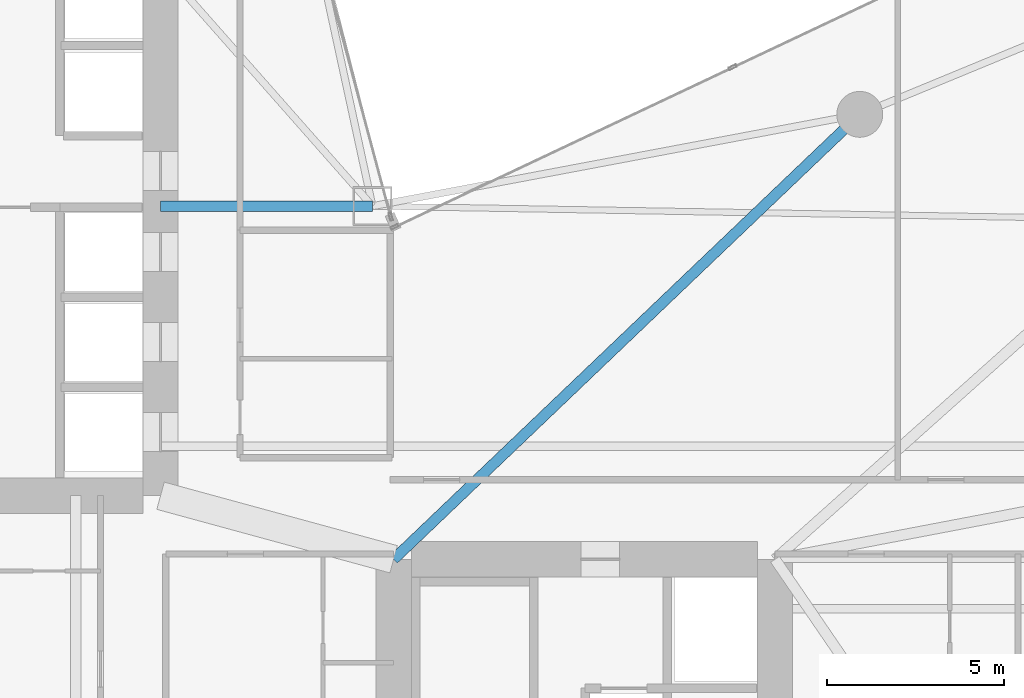
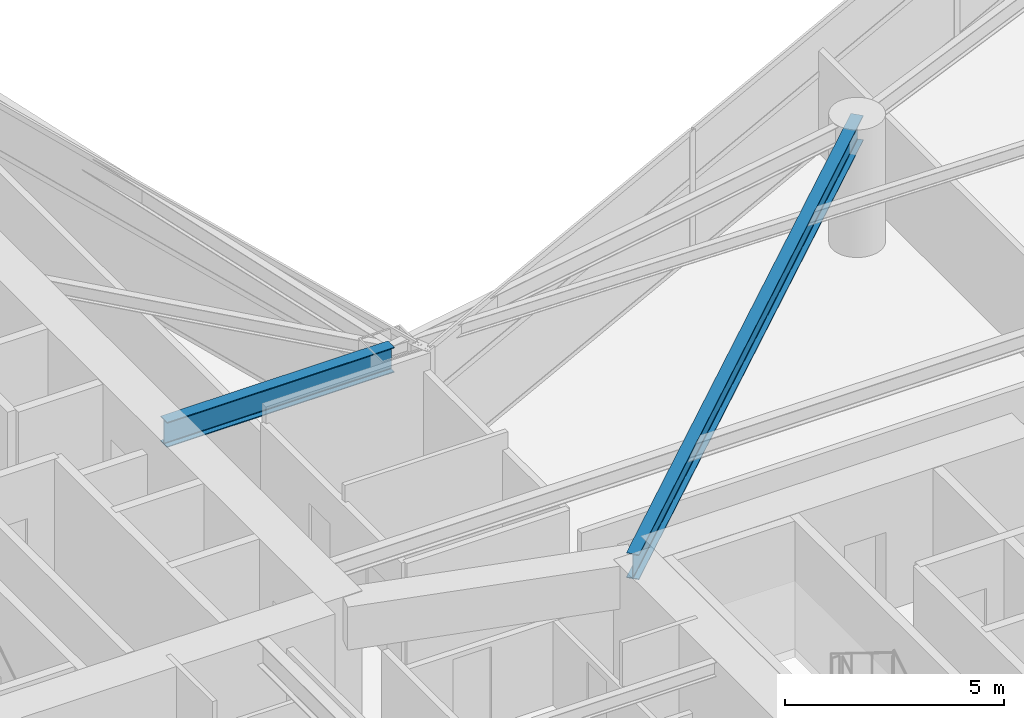
# One storey, part 9 of 30: 2 beams.
"""IFC4 building model written with IfcOpenShell, lengths in metres."""

import ifcopenshell
import ifcopenshell.guid

model = None  # the IFC model being written
_history = None  # IfcOwnerHistory: only IFC2X3 demands one
_inside = {}  # id of a spatial element -> (the spatial element, [elements in it])
_under = {}  # id of a project, library or spatial element -> (it, [spatial elements below it])
_declared = {}  # id of a project -> (the project, [libraries it declares])
_typed = {}  # id of a type object -> (the type object, [elements of that type])
_made_of = {}  # id of a material, layer set ... -> (it, [elements and type objects made of it])


def new_model(schema):
    """Start an empty IFC model of exactly this schema.

    Asked for "IFC4X3", IfcOpenShell would pick the latest addendum, in which some entities
    have other attributes; the version numbers below select the first issue.
    IFC2X3 requires an IfcOwnerHistory on every rooted entity: one is made here for all.
    """
    global model, _history
    if schema == "IFC4X3":
        model = ifcopenshell.file(schema_version=(4, 3, 0, 0))
    else:
        model = ifcopenshell.file(schema=schema)
    _inside.clear()
    _under.clear()
    _declared.clear()
    _typed.clear()
    _made_of.clear()
    _history = None
    if model.schema == "IFC2X3":
        org = make("IfcOrganization", Name="unknown")
        user = make(
            "IfcPersonAndOrganization",
            ThePerson=make("IfcPerson", FamilyName="unknown"),
            TheOrganization=org,
        )
        app = make(
            "IfcApplication",
            ApplicationDeveloper=org,
            Version="unknown",
            ApplicationFullName="unknown",
            ApplicationIdentifier="unknown",
        )
        _history = make(
            "IfcOwnerHistory",
            OwningUser=user,
            OwningApplication=app,
            ChangeAction="ADDED",
            CreationDate=0,
        )
    return model


def make(cls, **values):
    """One entity of the class cls with the attributes given. An attribute that is None is left unset."""
    return model.create_entity(
        cls, **{name: value for name, value in values.items() if value is not None}
    )


def rooted(cls, **values):
    """An entity with a GlobalId (a new one), such as an element, a storey or a relation."""
    return make(cls, GlobalId=ifcopenshell.guid.new(), OwnerHistory=_history, **values)


def si_unit(unit_type, name, prefix=None):
    """IfcSIUnit, for example si_unit("LENGTHUNIT", "METRE", prefix="MILLI")."""
    return make("IfcSIUnit", UnitType=unit_type, Prefix=prefix, Name=name)


def assignment(units):
    """IfcUnitAssignment: the units of a project."""
    return None if units is None else make("IfcUnitAssignment", Units=units)


def point(xyz):
    """IfcCartesianPoint."""
    return None if xyz is None else make("IfcCartesianPoint", Coordinates=xyz)


def direction(xyz):
    """IfcDirection."""
    return None if xyz is None else make("IfcDirection", DirectionRatios=xyz)


def frame(location, z_axis=None, x_axis=None):
    """IfcAxis2Placement3D, a coordinate frame: its origin and axes. An axis left out is left unset."""
    return make(
        "IfcAxis2Placement3D",
        Location=point(location),
        Axis=direction(z_axis),
        RefDirection=direction(x_axis),
    )


def frame_2d(location, x_axis=None):
    """IfcAxis2Placement2D, a coordinate frame in the plane: its origin and x axis."""
    return make(
        "IfcAxis2Placement2D", Location=point(location), RefDirection=direction(x_axis)
    )


def origin():
    """The frame at (0, 0, 0) with its axes left unset."""
    return frame((0.0, 0.0, 0.0))


def origin_2d():
    """The frame at (0, 0) in the plane with its x axis left unset."""
    return frame_2d((0.0, 0.0))


def place(relative_to, where):
    """IfcLocalPlacement: puts the frame where relative to a parent placement (None: the world)."""
    return make(
        "IfcLocalPlacement", PlacementRelTo=relative_to, RelativePlacement=where
    )


def context(
    kind, dimensions, precision=None, world=None, true_north=None, identifier=None
):
    """IfcGeometricRepresentationContext, for example the 3D "Model" context."""
    return make(
        "IfcGeometricRepresentationContext",
        ContextIdentifier=identifier,
        ContextType=kind,
        CoordinateSpaceDimension=dimensions,
        Precision=precision,
        WorldCoordinateSystem=world,
        TrueNorth=true_north,
    )


def subcontext(parent, identifier, kind, view, scale=None):
    """IfcGeometricRepresentationSubContext, for example "Body" below "Model"."""
    return make(
        "IfcGeometricRepresentationSubContext",
        ContextIdentifier=identifier,
        ContextType=kind,
        ParentContext=parent,
        TargetScale=scale,
        TargetView=view,
    )


def project(units=None, contexts=None):
    """IfcProject with its units and contexts."""
    return rooted(
        "IfcProject",
        Name="project",
        RepresentationContexts=contexts,
        UnitsInContext=assignment(units),
    )


def spatial(cls, under=None, at=None, **own):
    """A site, building, storey or space (cls), placed at a placement, below another one or the project."""
    s = rooted(cls, ObjectPlacement=at, **own)
    if under is not None:
        _under.setdefault(under.id(), (under, []))[1].append(s)
    return s


def profile(cls, at=None, kind="AREA", **sizes):
    """A parametric profile (cls). Its sizes go by their IFC names, for example OverallWidth=200.0."""
    return make(cls, ProfileType=kind, Position=at, **sizes)


def i_section(**sizes):
    """IfcIShapeProfileDef."""
    return profile("IfcIShapeProfileDef", **sizes)


def extrude(swept, where, along, depth):
    """IfcExtrudedAreaSolid: the profile swept, set in the frame where, extruded along a direction by depth."""
    return make(
        "IfcExtrudedAreaSolid",
        SweptArea=swept,
        Position=where,
        ExtrudedDirection=direction(along),
        Depth=depth,
    )


def shape(context_of_items, identifier, shape_type, items):
    """IfcShapeRepresentation: the items that make up one representation, for example the "Body"."""
    return make(
        "IfcShapeRepresentation",
        ContextOfItems=context_of_items,
        RepresentationIdentifier=identifier,
        RepresentationType=shape_type,
        Items=items,
    )


def material(Name=None, Category=None):
    """IfcMaterial."""
    return make("IfcMaterial", Name=Name, Category=Category)


def material_profile(
    of_material, cross_section, Name=None, Category=None, Priority=None
):
    """IfcMaterialProfile: a cross section and its material."""
    return make(
        "IfcMaterialProfile",
        Name=Name,
        Material=of_material,
        Profile=cross_section,
        Priority=Priority,
        Category=Category,
    )


def profile_set(profiles, Name=None, composite=None):
    """IfcMaterialProfileSet."""
    return make(
        "IfcMaterialProfileSet",
        Name=Name,
        MaterialProfiles=profiles,
        CompositeProfile=composite,
    )


def made_of(thing, what):
    """Note that an element or type object is made of a material, layer set ...; save() writes the relation."""
    if what is not None:
        _made_of.setdefault(what.id(), (what, []))[1].append(thing)
    return thing


def type_object(cls, material=None, **own):
    """A type object (cls), such as IfcWallType, which elements share."""
    return made_of(rooted(cls, **own), material)


def element(
    cls,
    number,
    at=None,
    inside=None,
    cuts=None,
    type_object=None,
    material=None,
    context=None,
    identifier="Body",
    shape_type=None,
    held_by="IfcProductDefinitionShape",
    body=None,
    shapes=None,
    **own,
):
    """One element of the class cls, such as IfcWall. Its Tag is "e" and its number.

    at: its placement. inside: the storey or other place that contains it. cuts: it is an
    opening in that element (IfcRelVoidsElement). A single representation is given by context,
    identifier, shape_type and body (its items); several are given by shapes. held_by: the class
    of the entity that holds the representations. save() writes the other relations.
    """
    e = rooted(cls, Tag="e%d" % number, ObjectPlacement=at, **own)
    if body is not None:
        shapes = [shape(context, identifier, shape_type, body)]
    if shapes is not None:
        e.Representation = make(held_by, Representations=shapes)
    if inside is not None:
        _inside.setdefault(inside.id(), (inside, []))[1].append(e)
    if cuts is not None:
        rooted(
            "IfcRelVoidsElement", RelatingBuildingElement=cuts, RelatedOpeningElement=e
        )
    if type_object is not None:
        _typed.setdefault(type_object.id(), (type_object, []))[1].append(e)
    return made_of(e, material)


def aggregate(whole, parts):
    """IfcRelAggregates: a whole, such as a stair, and the parts it consists of."""
    return rooted("IfcRelAggregates", RelatingObject=whole, RelatedObjects=parts)


def save(model, path):
    """Write the relations noted so far, then the file.

    IfcRelAggregates (storeys below a building ...), IfcRelContainedInSpatialStructure (elements
    in a storey), IfcRelDefinesByType, IfcRelAssociatesMaterial and IfcRelDeclares: one each for
    every whole, place, type object, material and project.
    """
    for whole, parts in _under.values():
        aggregate(whole, parts)
    for where, things in _inside.values():
        rooted(
            "IfcRelContainedInSpatialStructure",
            RelatedElements=things,
            RelatingStructure=where,
        )
    for kind, things in _typed.values():
        rooted("IfcRelDefinesByType", RelatedObjects=things, RelatingType=kind)
    for what, things in _made_of.values():
        rooted("IfcRelAssociatesMaterial", RelatedObjects=things, RelatingMaterial=what)
    for by, libraries in _declared.values():
        rooted("IfcRelDeclares", RelatingContext=by, RelatedDefinitions=libraries)
    model.write(path)


model = new_model("IFC4")

# Units and contexts
model_context = context("Model", 3, precision=1e-05, world=origin(), true_north=direction((0.0, 1.0)))
body_context = subcontext(model_context, "Body", "Model", "MODEL_VIEW")
ifc_project = project(units=[si_unit("LENGTHUNIT", "METRE"), si_unit("AREAUNIT", "SQUARE_METRE"), si_unit("VOLUMEUNIT", "CUBIC_METRE"), si_unit("PLANEANGLEUNIT", "RADIAN"), si_unit("MASSUNIT", "GRAM", prefix="KILO")], contexts=[model_context])

# Site, building, storey
site_placement = place(None, origin())
site = spatial("IfcSite", under=ifc_project, at=site_placement, CompositionType="ELEMENT")
building_placement = place(site_placement, origin())
building = spatial("IfcBuilding", under=site, at=building_placement, Name="Calvorn Quay Hotel", CompositionType="ELEMENT")
storey_placement = place(building_placement, frame((0.0, 0.0, 30.800048828125)))
storey = spatial("IfcBuildingStorey", under=building, at=storey_placement, Name="L06", CompositionType="ELEMENT", Elevation=30.800048828125)

# Beams
ifc_material = material(Name="Steel Q390GJC", Category="steel")
ifc_material_profile = material_profile(ifc_material, i_section(OverallWidth=0.300048828125, OverallDepth=0.699951171875, WebThickness=0.012939453125, FlangeThickness=0.02392578125, FilletRadius=0.02392578125, at=origin_2d()), Name="HN700x300x13x24")
ifc_profile_set = profile_set([ifc_material_profile], Name="Steel Q390GJC")
beam_type = type_object("IfcBeamType", Name="BM-GIRD-MAIN", PredefinedType="BEAM", material=ifc_profile_set)
beam_1_placement = place(storey_placement, frame((21.0, 25.0, 3.18994140625), z_axis=(-1.0, 0.0, 0.0), x_axis=(0.0, -1.0, 0.0)))
element("IfcBeam", 1, at=beam_1_placement, inside=storey, type_object=beam_type, Name="Beam BG-L06-W7", PredefinedType="BEAM", context=body_context, shape_type="SweptSolid", body=[
    extrude(i_section(OverallWidth=0.300048828125, OverallDepth=0.699951171875, WebThickness=0.012939453125, FlangeThickness=0.02392578125, FilletRadius=0.02392578125, at=origin_2d()), origin(), (0.0, 0.0, 1.0), 6.0),
])
beam_2_placement = place(storey_placement, frame((21.60009765625, 15.0, 3.18994140625), z_axis=(0.723351595578, 0.690479883252, 0.0), x_axis=(-0.690479883252, 0.723351595578, 0.0)))
element("IfcBeam", 2, at=beam_2_placement, inside=storey, type_object=beam_type, Name="Beam BG-L06-E4", PredefinedType="BEAM", context=body_context, shape_type="SweptSolid", body=[
    extrude(i_section(OverallWidth=0.300048828125, OverallDepth=0.699951171875, WebThickness=0.012939453125, FlangeThickness=0.02392578125, FilletRadius=0.02392578125, at=origin_2d()), origin(), (0.0, 0.0, 1.0), 18.248291015625),
])

save(model, "model.ifc")
